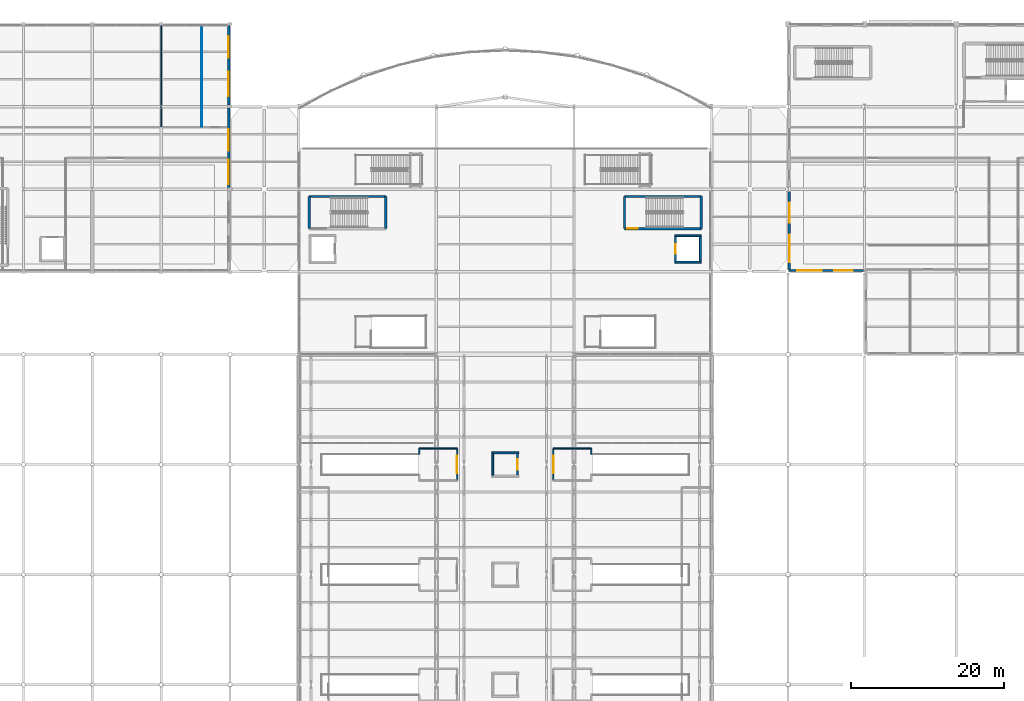
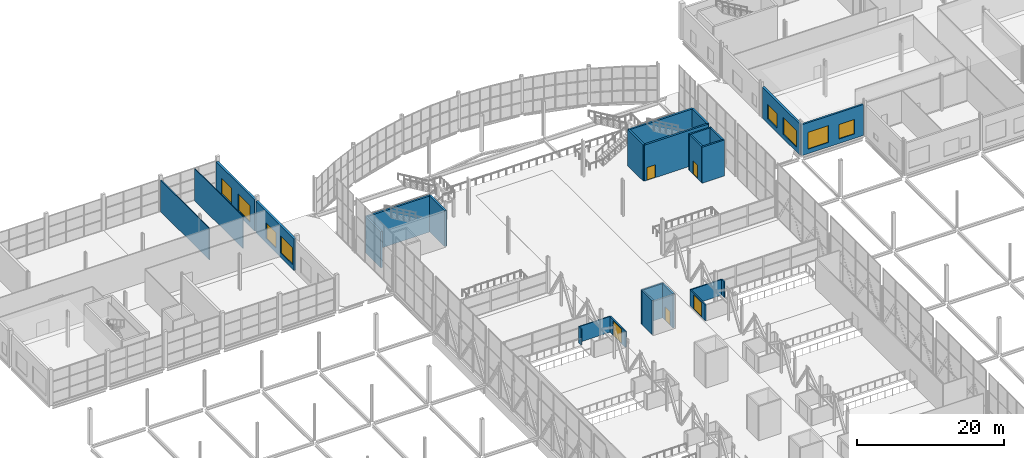
# One storey, part 170 of 191: 26 walls, 8 windows, 5 doors, 13 openings.
"""IFC4 building model written with IfcOpenShell, lengths in metres."""

from ifc_helpers import new_model, si_unit, direction, frame, frame_2d, origin, place, context, subcontext, project, spatial, rectangle, extrude, material, layer, layer_set, type_object, element, fill, save


model = new_model("IFC4")

# Units and contexts
model_context = context("Model", 3, precision=1e-05, world=origin(), true_north=direction((0.0, 1.0)))
body_context = subcontext(model_context, "Body", "Model", "MODEL_VIEW")
ifc_project = project(units=[si_unit("LENGTHUNIT", "METRE"), si_unit("AREAUNIT", "SQUARE_METRE"), si_unit("VOLUMEUNIT", "CUBIC_METRE"), si_unit("PLANEANGLEUNIT", "RADIAN"), si_unit("MASSUNIT", "GRAM", prefix="KILO")], contexts=[model_context])

# Site, building, storey
site_placement = place(None, origin())
site = spatial("IfcSite", under=ifc_project, at=site_placement, CompositionType="ELEMENT")
building_placement = place(site_placement, origin())
building = spatial("IfcBuilding", under=site, at=building_placement, Name="Tamarisk Ironworks Central Station", CompositionType="ELEMENT")
storey_placement = place(building_placement, frame((0.0, 0.0, 6.60009765625)))
storey = spatial("IfcBuildingStorey", under=building, at=storey_placement, Name="L01", CompositionType="ELEMENT", Elevation=6.60009765625)

# Wall, openings, windows
ifc_material_1 = material(Name="Clay facing brickwork and mortar", Category="masonry")
ifc_layer_1 = layer(ifc_material_1, 0.280029296875)
ifc_layer_set_1 = layer_set([ifc_layer_1], Name="Clay facing brickwork and mortar")
wall_type_1 = type_object("IfcWallType", Name="WL-BR280", PredefinedType="STANDARD", material=ifc_layer_set_1)
wall_1_placement = place(storey_placement, frame((118.14794921875, 90.169921875, 0.0), z_axis=(0.0, 0.0, 1.0), x_axis=(1.0, 0.0, 0.0)))
wall_1 = element("IfcWall", 1, at=wall_1_placement, inside=storey, type_object=wall_type_1, Name="L01 brick facade wall 0064", PredefinedType="STANDARD", context=body_context, shape_type="SweptSolid", body=[
    extrude(rectangle(XDim=9.7041015625, YDim=0.280029296875, at=frame_2d((4.85205078125, 0.0))), origin(), (0.0, 0.0, 1.0), 5.14990234375),
])
opening_1_placement = place(wall_1_placement, frame((1.02587890625, 0.0, 0.75)))
opening_1 = element("IfcOpeningElement", 2, at=opening_1_placement, cuts=wall_1, Name="Opening W02", PredefinedType="OPENING", context=body_context, shape_type="SweptSolid", body=[
    extrude(rectangle(XDim=3.199951171875, YDim=2.800048828125, at=frame_2d((1.60009765625, 1.39990234375))), frame((0.0, 0.15185546875, 0.0), z_axis=(0.0, -1.0, 0.0), x_axis=(1.0, 0.0, 0.0)), (0.0, 0.0, 1.0), 0.303955078125),
])
opening_2_placement = place(wall_1_placement, frame((5.8779296875, 0.0, 0.75)))
opening_2 = element("IfcOpeningElement", 3, at=opening_2_placement, cuts=wall_1, Name="Opening W06", PredefinedType="OPENING", context=body_context, shape_type="SweptSolid", body=[
    extrude(rectangle(XDim=2.39990234375, YDim=2.39990234375, at=frame_2d((1.199951171875, 1.199951171875))), frame((0.0, 0.15185546875, 0.0), z_axis=(0.0, -1.0, 0.0), x_axis=(1.0, 0.0, 0.0)), (0.0, 0.0, 1.0), 0.303955078125),
])
ifc_material_2 = material(Name="Laminated solar-control low-E glass", Category="glass")
window_type_1 = type_object("IfcWindowType", Name="WN-02", PartitioningType="SINGLE_PANEL", PredefinedType="WINDOW", material=ifc_material_2)
window_1_placement = place(opening_1_placement, origin())
window_1 = element("IfcWindow", 4, at=window_1_placement, inside=storey, type_object=window_type_1, Name="L01 exterior window 0101", OverallHeight=2.800048828125, OverallWidth=3.199951171875, PartitioningType="DOUBLE_PANEL_VERTICAL", PredefinedType="WINDOW", context=body_context, shape_type="SweptSolid", body=[
    extrude(rectangle(XDim=3.199951171875, YDim=2.800048828125, at=frame_2d((1.60009765625, 1.39990234375))), frame((0.0, 0.030029296875, 0.0), z_axis=(0.0, -1.0, 0.0), x_axis=(1.0, 0.0, 0.0)), (0.0, 0.0, 1.0), 0.06005859375),
])
fill(opening_1, window_1)
window_type_2 = type_object("IfcWindowType", Name="WN-06", PartitioningType="SINGLE_PANEL", PredefinedType="WINDOW", material=ifc_material_2)
window_2_placement = place(opening_2_placement, origin())
window_2 = element("IfcWindow", 5, at=window_2_placement, inside=storey, type_object=window_type_2, Name="L01 exterior window 0102", OverallHeight=2.39990234375, OverallWidth=2.39990234375, PartitioningType="DOUBLE_PANEL_VERTICAL", PredefinedType="WINDOW", context=body_context, shape_type="SweptSolid", body=[
    extrude(rectangle(XDim=2.39990234375, YDim=2.39990234375, at=frame_2d((1.199951171875, 1.199951171875))), frame((0.0, 0.030029296875, 0.0), z_axis=(0.0, -1.0, 0.0), x_axis=(1.0, 0.0, 0.0)), (0.0, 0.0, 1.0), 0.06005859375),
])
fill(opening_2, window_2)

ifc_layer_2 = layer(ifc_material_1, 0.340087890625)
ifc_layer_set_2 = layer_set([ifc_layer_2], Name="Clay facing brickwork and mortar")
wall_type_2 = type_object("IfcWallType", Name="WL-BR340", PredefinedType="STANDARD", material=ifc_layer_set_2)
wall_2_placement = place(storey_placement, frame((44.830078125, 100.998046875, 0.0), z_axis=(0.0, 0.0, 1.0), x_axis=(0.0, 1.0, 0.0)))
wall_2 = element("IfcWall", 6, at=wall_2_placement, inside=storey, type_object=wall_type_2, Name="L01 brick facade wall 0033", PredefinedType="STANDARD", context=body_context, shape_type="SweptSolid", body=[
    extrude(rectangle(XDim=10.404052734375, YDim=0.340087890625, at=frame_2d((5.2021484375, 0.0))), origin(), (0.0, 0.0, 1.0), 5.25),
])
opening_3_placement = place(wall_2_placement, frame((0.450927734375, 0.0, 0.75)))
opening_3 = element("IfcOpeningElement", 7, at=opening_3_placement, cuts=wall_2, Name="Opening W02", PredefinedType="OPENING", context=body_context, shape_type="SweptSolid", body=[
    extrude(rectangle(XDim=3.199951171875, YDim=2.800048828125, at=frame_2d((1.60009765625, 1.39990234375))), frame((0.0, 0.18212890625, 0.0), z_axis=(0.0, -1.0, 0.0), x_axis=(1.0, 0.0, 0.0)), (0.0, 0.0, 1.0), 0.364013671875),
])
opening_4_placement = place(wall_2_placement, frame((4.85302734375, 0.0, 0.75)))
opening_4 = element("IfcOpeningElement", 8, at=opening_4_placement, cuts=wall_2, Name="Opening W04", PredefinedType="OPENING", context=body_context, shape_type="SweptSolid", body=[
    extrude(rectangle(XDim=2.800048828125, YDim=2.60009765625, at=frame_2d((1.39990234375, 1.300048828125))), frame((0.0, 0.18212890625, 0.0), z_axis=(0.0, -1.0, 0.0), x_axis=(1.0, 0.0, 0.0)), (0.0, 0.0, 1.0), 0.364013671875),
])
window_3_placement = place(opening_3_placement, origin())
window_3 = element("IfcWindow", 9, at=window_3_placement, inside=storey, type_object=window_type_1, Name="L01 exterior window 0036", OverallHeight=2.800048828125, OverallWidth=3.199951171875, PartitioningType="DOUBLE_PANEL_VERTICAL", PredefinedType="WINDOW", context=body_context, shape_type="SweptSolid", body=[
    extrude(rectangle(XDim=3.199951171875, YDim=2.800048828125, at=frame_2d((1.60009765625, 1.39990234375))), frame((0.0, 0.030029296875, 0.0), z_axis=(0.0, -1.0, 0.0), x_axis=(1.0, 0.0, 0.0)), (0.0, 0.0, 1.0), 0.06005859375),
])
fill(opening_3, window_3)
window_type_3 = type_object("IfcWindowType", Name="WN-04", PartitioningType="SINGLE_PANEL", PredefinedType="WINDOW", material=ifc_material_2)
window_4_placement = place(opening_4_placement, origin())
window_4 = element("IfcWindow", 10, at=window_4_placement, inside=storey, type_object=window_type_3, Name="L01 exterior window 0037", OverallHeight=2.60009765625, OverallWidth=2.800048828125, PartitioningType="DOUBLE_PANEL_VERTICAL", PredefinedType="WINDOW", context=body_context, shape_type="SweptSolid", body=[
    extrude(rectangle(XDim=2.800048828125, YDim=2.60009765625, at=frame_2d((1.39990234375, 1.300048828125))), frame((0.0, 0.030029296875, 0.0), z_axis=(0.0, -1.0, 0.0), x_axis=(1.0, 0.0, 0.0)), (0.0, 0.0, 1.0), 0.06005859375),
])
fill(opening_4, window_4)

wall_3_placement = place(storey_placement, frame((44.830078125, 111.798095703125, 0.0), z_axis=(0.0, 0.0, 1.0), x_axis=(0.0, 1.0, 0.0)))
wall_3 = element("IfcWall", 11, at=wall_3_placement, inside=storey, type_object=wall_type_2, Name="L01 brick facade wall 0035", PredefinedType="STANDARD", context=body_context, shape_type="SweptSolid", body=[
    extrude(rectangle(XDim=10.40380859375, YDim=0.340087890625, at=frame_2d((5.201904296875, 0.0))), origin(), (0.0, 0.0, 1.0), 5.25),
])
opening_5_placement = place(wall_3_placement, frame((1.200927734375, 0.0, 0.75)))
opening_5 = element("IfcOpeningElement", 12, at=opening_5_placement, cuts=wall_3, Name="Opening W02", PredefinedType="OPENING", context=body_context, shape_type="SweptSolid", body=[
    extrude(rectangle(XDim=3.199951171875, YDim=2.800048828125, at=frame_2d((1.60009765625, 1.39990234375))), frame((0.0, 0.18212890625, 0.0), z_axis=(0.0, -1.0, 0.0), x_axis=(1.0, 0.0, 0.0)), (0.0, 0.0, 1.0), 0.364013671875),
])
opening_6_placement = place(wall_3_placement, frame((6.202880859375, 0.0, 0.75)))
opening_6 = element("IfcOpeningElement", 13, at=opening_6_placement, cuts=wall_3, Name="Opening W04", PredefinedType="OPENING", context=body_context, shape_type="SweptSolid", body=[
    extrude(rectangle(XDim=2.800048828125, YDim=2.60009765625, at=frame_2d((1.39990234375, 1.300048828125))), frame((0.0, 0.18212890625, 0.0), z_axis=(0.0, -1.0, 0.0), x_axis=(1.0, 0.0, 0.0)), (0.0, 0.0, 1.0), 0.364013671875),
])
window_5_placement = place(opening_5_placement, origin())
window_5 = element("IfcWindow", 14, at=window_5_placement, inside=storey, type_object=window_type_1, Name="L01 exterior window 0040", OverallHeight=2.800048828125, OverallWidth=3.199951171875, PartitioningType="DOUBLE_PANEL_VERTICAL", PredefinedType="WINDOW", context=body_context, shape_type="SweptSolid", body=[
    extrude(rectangle(XDim=3.199951171875, YDim=2.800048828125, at=frame_2d((1.60009765625, 1.39990234375))), frame((0.0, 0.030029296875, 0.0), z_axis=(0.0, -1.0, 0.0), x_axis=(1.0, 0.0, 0.0)), (0.0, 0.0, 1.0), 0.06005859375),
])
fill(opening_5, window_5)
window_6_placement = place(opening_6_placement, origin())
window_6 = element("IfcWindow", 15, at=window_6_placement, inside=storey, type_object=window_type_3, Name="L01 exterior window 0041", OverallHeight=2.60009765625, OverallWidth=2.800048828125, PartitioningType="DOUBLE_PANEL_VERTICAL", PredefinedType="WINDOW", context=body_context, shape_type="SweptSolid", body=[
    extrude(rectangle(XDim=2.800048828125, YDim=2.60009765625, at=frame_2d((1.39990234375, 1.300048828125))), frame((0.0, 0.030029296875, 0.0), z_axis=(0.0, -1.0, 0.0), x_axis=(1.0, 0.0, 0.0)), (0.0, 0.0, 1.0), 0.06005859375),
])
fill(opening_6, window_6)

wall_4_placement = place(storey_placement, frame((118.169921875, 90.298095703125, 0.0), z_axis=(0.0, 0.0, 1.0), x_axis=(0.0, 1.0, 0.0)))
wall_4 = element("IfcWall", 16, at=wall_4_placement, inside=storey, type_object=wall_type_2, Name="L01 brick facade wall 0061", PredefinedType="STANDARD", context=body_context, shape_type="SweptSolid", body=[
    extrude(rectangle(XDim=10.203857421875, YDim=0.340087890625, at=frame_2d((5.10205078125, 0.0))), origin(), (0.0, 0.0, 1.0), 5.14990234375),
])
opening_7_placement = place(wall_4_placement, frame((0.950927734375, 0.0, 0.75)))
opening_7 = element("IfcOpeningElement", 17, at=opening_7_placement, cuts=wall_4, Name="Opening W01", PredefinedType="OPENING", context=body_context, shape_type="SweptSolid", body=[
    extrude(rectangle(XDim=3.60009765625, YDim=2.800048828125, at=frame_2d((1.800048828125, 1.39990234375))), frame((0.0, 0.18212890625, 0.0), z_axis=(0.0, -1.0, 0.0), x_axis=(1.0, 0.0, 0.0)), (0.0, 0.0, 1.0), 0.364013671875),
])
opening_8_placement = place(wall_4_placement, frame((6.153076171875, 0.0, 0.75)))
opening_8 = element("IfcOpeningElement", 18, at=opening_8_placement, cuts=wall_4, Name="Opening W05", PredefinedType="OPENING", context=body_context, shape_type="SweptSolid", body=[
    extrude(rectangle(XDim=2.60009765625, YDim=2.39990234375, at=frame_2d((1.300048828125, 1.199951171875))), frame((0.0, 0.18212890625, 0.0), z_axis=(0.0, -1.0, 0.0), x_axis=(1.0, 0.0, 0.0)), (0.0, 0.0, 1.0), 0.364013671875),
])
window_type_4 = type_object("IfcWindowType", Name="WN-01", PartitioningType="SINGLE_PANEL", PredefinedType="WINDOW", material=ifc_material_2)
window_7_placement = place(opening_7_placement, origin())
window_7 = element("IfcWindow", 19, at=window_7_placement, inside=storey, type_object=window_type_4, Name="L01 exterior window 0095", OverallHeight=2.800048828125, OverallWidth=3.60009765625, PartitioningType="DOUBLE_PANEL_VERTICAL", PredefinedType="WINDOW", context=body_context, shape_type="SweptSolid", body=[
    extrude(rectangle(XDim=3.60009765625, YDim=2.800048828125, at=frame_2d((1.800048828125, 1.39990234375))), frame((0.0, 0.030029296875, 0.0), z_axis=(0.0, -1.0, 0.0), x_axis=(1.0, 0.0, 0.0)), (0.0, 0.0, 1.0), 0.06005859375),
])
fill(opening_7, window_7)
window_type_5 = type_object("IfcWindowType", Name="WN-05", PartitioningType="SINGLE_PANEL", PredefinedType="WINDOW", material=ifc_material_2)
window_8_placement = place(opening_8_placement, origin())
window_8 = element("IfcWindow", 20, at=window_8_placement, inside=storey, type_object=window_type_5, Name="L01 exterior window 0096", OverallHeight=2.39990234375, OverallWidth=2.60009765625, PartitioningType="DOUBLE_PANEL_VERTICAL", PredefinedType="WINDOW", context=body_context, shape_type="SweptSolid", body=[
    extrude(rectangle(XDim=2.60009765625, YDim=2.39990234375, at=frame_2d((1.300048828125, 1.199951171875))), frame((0.0, 0.030029296875, 0.0), z_axis=(0.0, -1.0, 0.0), x_axis=(1.0, 0.0, 0.0)), (0.0, 0.0, 1.0), 0.06005859375),
])
fill(opening_8, window_8)

# Walls
ifc_material_3 = material(Name="Concrete C50/60", Category="concrete")
ifc_layer_3 = layer(ifc_material_3, 0.300048828125)
ifc_layer_set_3 = layer_set([ifc_layer_3], Name="Concrete C50/60")
wall_type_3 = type_object("IfcWallType", Name="WL-CW300", PredefinedType="SOLIDWALL", material=ifc_layer_set_3)
wall_5_placement = place(storey_placement, frame((55.35498046875, 99.844970703125, 0.0), z_axis=(0.0, 0.0, 1.0), x_axis=(1.0, 0.0, 0.0)))
element("IfcWall", 21, at=wall_5_placement, inside=storey, type_object=wall_type_3, Name="ST-C3 core wall R (L01)", PredefinedType="SOLIDWALL", context=body_context, shape_type="SweptSolid", body=[
    extrude(rectangle(XDim=10.0400390625, YDim=0.300048828125, at=frame_2d((5.02001953125, 0.0))), origin(), (0.0, 0.0, 1.0), 6.0),
])
for number, where, z_axis, x_axis, name in (
    (22, (55.35498046875, 95.655029296875, 0.0), (0.0, 0.0, 1.0), (0.0, 1.0, 0.0), "ST-C3 core wall N (L01)"),
    (23, (65.39501953125, 95.655029296875, 0.0), (0.0, 0.0, 1.0), (0.0, 1.0, 0.0), "ST-C3 core wall F (L01)"),
):
    element("IfcWall", number, at=place(storey_placement, frame(where, z_axis=z_axis, x_axis=x_axis)), inside=storey, type_object=wall_type_3, Name=name, PredefinedType="SOLIDWALL", context=body_context, shape_type="SweptSolid", body=[
        extrude(rectangle(XDim=4.18994140625, YDim=0.300048828125, at=frame_2d((2.094970703125, 0.0))), origin(), (0.0, 0.0, 1.0), 6.0),
    ])

# Wall, opening, door
wall_6_placement = place(storey_placement, frame((96.60498046875, 95.655029296875, 0.0), z_axis=(0.0, 0.0, 1.0), x_axis=(1.0, 0.0, 0.0)))
wall_6 = element("IfcWall", 24, at=wall_6_placement, inside=storey, type_object=wall_type_3, Name="ST-C4 core wall L (L01)", PredefinedType="SOLIDWALL", context=body_context, shape_type="SweptSolid", body=[
    extrude(rectangle(XDim=10.0400390625, YDim=0.300048828125, at=frame_2d((5.02001953125, 0.0))), origin(), (0.0, 0.0, 1.0), 6.0),
])
opening_9_placement = place(wall_6_placement, frame((0.35009765625, 0.0, 0.0048828125)))
opening_9 = element("IfcOpeningElement", 25, at=opening_9_placement, cuts=wall_6, Name="Opening FD05", PredefinedType="OPENING", context=body_context, shape_type="SweptSolid", body=[
    extrude(rectangle(XDim=1.35009765625, YDim=2.14990234375, at=frame_2d((0.675048828125, 1.074951171875))), frame((0.0, 0.162109375, 0.0), z_axis=(0.0, -1.0, 0.0), x_axis=(1.0, 0.0, 0.0)), (0.0, 0.0, 1.0), 0.323974609375),
])
ifc_material_4 = material(Name="Galvanised hollow-metal door steel", Category="steel")
door_type_1 = type_object("IfcDoorType", Name="DR-FD05", OperationType="NOTDEFINED", PredefinedType="DOOR", material=ifc_material_4)
door_1_placement = place(opening_9_placement, origin())
door_1 = element("IfcDoor", 26, at=door_1_placement, inside=storey, type_object=door_type_1, Name="ST-C4 fire stair door (L01)", OperationType="SINGLE_SWING_RIGHT", OverallHeight=2.14990234375, OverallWidth=1.35009765625, PredefinedType="DOOR", context=body_context, shape_type="SweptSolid", body=[
    extrude(rectangle(XDim=1.35009765625, YDim=2.14990234375, at=frame_2d((0.675048828125, 1.074951171875))), frame((0.0, 0.02490234375, 0.0), z_axis=(0.0, -1.0, 0.0), x_axis=(1.0, 0.0, 0.0)), (0.0, 0.0, 1.0), 0.050048828125),
])
fill(opening_9, door_1)

# Walls
wall_7_placement = place(storey_placement, frame((96.60498046875, 99.844970703125, 0.0), z_axis=(0.0, 0.0, 1.0), x_axis=(1.0, 0.0, 0.0)))
element("IfcWall", 27, at=wall_7_placement, inside=storey, type_object=wall_type_3, Name="ST-C4 core wall R (L01)", PredefinedType="SOLIDWALL", context=body_context, shape_type="SweptSolid", body=[
    extrude(rectangle(XDim=10.0400390625, YDim=0.300048828125, at=frame_2d((5.02001953125, 0.0))), origin(), (0.0, 0.0, 1.0), 6.0),
])
for number, where, z_axis, x_axis, name in (
    (28, (96.60498046875, 95.655029296875, 0.0), (0.0, 0.0, 1.0), (0.0, 1.0, 0.0), "ST-C4 core wall N (L01)"),
    (29, (106.64501953125, 95.655029296875, 0.0), (0.0, 0.0, 1.0), (0.0, 1.0, 0.0), "ST-C4 core wall F (L01)"),
):
    element("IfcWall", number, at=place(storey_placement, frame(where, z_axis=z_axis, x_axis=x_axis)), inside=storey, type_object=wall_type_3, Name=name, PredefinedType="SOLIDWALL", context=body_context, shape_type="SweptSolid", body=[
        extrude(rectangle(XDim=4.18994140625, YDim=0.300048828125, at=frame_2d((2.094970703125, 0.0))), origin(), (0.0, 0.0, 1.0), 6.0),
    ])
ifc_material_5 = material(Name="Gypsum plasterboard acoustic partition")
ifc_layer_4 = layer(ifc_material_5, 0.155029296875)
ifc_layer_set_4 = layer_set([ifc_layer_4], Name="Gypsum plasterboard acoustic partition")
wall_type_4 = type_object("IfcWallType", Name="WL-FC150", PredefinedType="PARTITIONING", material=ifc_layer_set_4)
wall_8_placement = place(storey_placement, frame((69.75, 66.14990234375, 0.0), z_axis=(0.0, 0.0, 1.0), x_axis=(0.0, 1.0, 0.0)))
element("IfcWall", 30, at=wall_8_placement, inside=storey, type_object=wall_type_4, Name="ST-P4A smoke lobby flank N", PredefinedType="PARTITIONING", context=body_context, shape_type="SweptSolid", body=[
    extrude(rectangle(XDim=0.75, YDim=0.155029296875, at=frame_2d((0.375, 0.0))), origin(), (0.0, 0.0, 1.0), 2.619873046875),
])
wall_9_placement = place(storey_placement, frame((69.75, 66.89990234375, 0.0), z_axis=(0.0, 0.0, 1.0), x_axis=(1.0, 0.0, 0.0)))
element("IfcWall", 31, at=wall_9_placement, inside=storey, type_object=wall_type_4, Name="ST-P4A smoke lobby return wall RETN", PredefinedType="PARTITIONING", context=body_context, shape_type="SweptSolid", body=[
    extrude(rectangle(XDim=4.949951171875, YDim=0.155029296875, at=frame_2d((2.47509765625, 0.0))), origin(), (0.0, 0.0, 1.0), 2.619873046875),
])
wall_10_placement = place(storey_placement, frame((92.25, 66.14990234375, 0.0), z_axis=(0.0, 0.0, 1.0), x_axis=(0.0, 1.0, 0.0)))
element("IfcWall", 32, at=wall_10_placement, inside=storey, type_object=wall_type_4, Name="ST-P4B smoke lobby flank N", PredefinedType="PARTITIONING", context=body_context, shape_type="SweptSolid", body=[
    extrude(rectangle(XDim=0.75, YDim=0.155029296875, at=frame_2d((0.375, 0.0))), origin(), (0.0, 0.0, 1.0), 2.619873046875),
])
wall_11_placement = place(storey_placement, frame((87.300048828125, 66.89990234375, 0.0), z_axis=(0.0, 0.0, 1.0), x_axis=(1.0, 0.0, 0.0)))
element("IfcWall", 33, at=wall_11_placement, inside=storey, type_object=wall_type_4, Name="ST-P4B smoke lobby return wall RETN", PredefinedType="PARTITIONING", context=body_context, shape_type="SweptSolid", body=[
    extrude(rectangle(XDim=4.949951171875, YDim=0.155029296875, at=frame_2d((2.47509765625, 0.0))), origin(), (0.0, 0.0, 1.0), 2.619873046875),
])
ifc_layer_5 = layer(ifc_material_5, 0.1201171875)
ifc_layer_set_5 = layer_set([ifc_layer_5], Name="Gypsum plasterboard acoustic partition")
wall_type_5 = type_object("IfcWallType", Name="WL-PT120", PredefinedType="PARTITIONING", material=ifc_layer_set_5)
wall_12_placement = place(storey_placement, frame((41.300048828125, 108.972900390625, 0.0), z_axis=(0.0, 0.0, 1.0), x_axis=(0.0, 1.0, 0.0)))
element("IfcWall", 34, at=wall_12_placement, inside=storey, type_object=wall_type_5, Name="L01 interior partition 0033", PredefinedType="PARTITIONING", context=body_context, shape_type="SweptSolid", body=[
    extrude(rectangle(XDim=13.189208984375, YDim=0.1201171875, at=frame_2d((6.5947265625, 0.0))), origin(), (0.0, 0.0, 1.0), 5.329833984375),
])
ifc_layer_6 = layer(ifc_material_5, 0.14990234375)
ifc_layer_set_6 = layer_set([ifc_layer_6], Name="Gypsum plasterboard acoustic partition")
wall_type_6 = type_object("IfcWallType", Name="WL-PT150", PredefinedType="PARTITIONING", material=ifc_layer_set_6)
wall_13_placement = place(storey_placement, frame((36.0, 108.972900390625, 0.0), z_axis=(0.0, 0.0, 1.0), x_axis=(0.0, 1.0, 0.0)))
element("IfcWall", 35, at=wall_13_placement, inside=storey, type_object=wall_type_6, Name="L01 interior partition 0032", PredefinedType="PARTITIONING", context=body_context, shape_type="SweptSolid", body=[
    extrude(rectangle(XDim=13.22900390625, YDim=0.14990234375, at=frame_2d((6.614501953125, 0.0))), origin(), (0.0, 0.0, 1.0), 5.239990234375),
])

# Wall, opening, door
ifc_layer_7 = layer(ifc_material_1, 0.199951171875)
ifc_layer_set_7 = layer_set([ifc_layer_7], Name="Clay facing brickwork and mortar")
wall_type_7 = type_object("IfcWallType", Name="WL-PT200", PredefinedType="PARTITIONING", material=ifc_layer_set_7)
wall_14_placement = place(storey_placement, frame((74.699951171875, 62.699951171875, 0.0), z_axis=(0.0, 0.0, 1.0), x_axis=(0.0, 1.0, 0.0)))
wall_14 = element("IfcWall", 36, at=wall_14_placement, inside=storey, type_object=wall_type_7, Name="ST-P4A smoke lobby barrier", PredefinedType="PARTITIONING", context=body_context, shape_type="SweptSolid", body=[
    extrude(rectangle(XDim=4.199951171875, YDim=0.199951171875, at=frame_2d((2.10009765625, 0.0))), origin(), (0.0, 0.0, 1.0), 2.619873046875),
])
opening_10_placement = place(wall_14_placement, frame((0.949951171875, 0.0, 0.0048828125)))
opening_10 = element("IfcOpeningElement", 37, at=opening_10_placement, cuts=wall_14, Name="Opening D01", PredefinedType="OPENING", context=body_context, shape_type="SweptSolid", body=[
    extrude(rectangle(XDim=2.300048828125, YDim=2.39990234375, at=frame_2d((1.14990234375, 1.199951171875))), frame((0.0, 0.11181640625, 0.0), z_axis=(0.0, -1.0, 0.0), x_axis=(1.0, 0.0, 0.0)), (0.0, 0.0, 1.0), 0.223876953125),
])
ifc_material_6 = material(Name="Anodized aluminium alloy 6063-T6", Category="aluminium")
door_type_2 = type_object("IfcDoorType", Name="DR-ID01", OperationType="NOTDEFINED", PredefinedType="DOOR", material=ifc_material_6)
door_2_placement = place(opening_10_placement, origin())
door_2 = element("IfcDoor", 38, at=door_2_placement, inside=storey, type_object=door_type_2, Name="ST-P4A smoke lobby double boarding door", OperationType="DOUBLE_DOOR_SINGLE_SWING", OverallHeight=2.39990234375, OverallWidth=2.300048828125, PredefinedType="DOOR", context=body_context, shape_type="SweptSolid", body=[
    extrude(rectangle(XDim=2.300048828125, YDim=2.39990234375, at=frame_2d((1.14990234375, 1.199951171875))), frame((0.0, 0.02490234375, 0.0), z_axis=(0.0, -1.0, 0.0), x_axis=(1.0, 0.0, 0.0)), (0.0, 0.0, 1.0), 0.050048828125),
])
fill(opening_10, door_2)

wall_15_placement = place(storey_placement, frame((87.300048828125, 62.699951171875, 0.0), z_axis=(0.0, 0.0, 1.0), x_axis=(0.0, 1.0, 0.0)))
wall_15 = element("IfcWall", 39, at=wall_15_placement, inside=storey, type_object=wall_type_7, Name="ST-P4B smoke lobby barrier", PredefinedType="PARTITIONING", context=body_context, shape_type="SweptSolid", body=[
    extrude(rectangle(XDim=4.199951171875, YDim=0.199951171875, at=frame_2d((2.10009765625, 0.0))), origin(), (0.0, 0.0, 1.0), 2.619873046875),
])
opening_11_placement = place(wall_15_placement, frame((0.949951171875, 0.0, 0.0048828125)))
opening_11 = element("IfcOpeningElement", 40, at=opening_11_placement, cuts=wall_15, Name="Opening D01", PredefinedType="OPENING", context=body_context, shape_type="SweptSolid", body=[
    extrude(rectangle(XDim=2.300048828125, YDim=2.39990234375, at=frame_2d((1.14990234375, 1.199951171875))), frame((0.0, 0.11181640625, 0.0), z_axis=(0.0, -1.0, 0.0), x_axis=(1.0, 0.0, 0.0)), (0.0, 0.0, 1.0), 0.223876953125),
])
door_3_placement = place(opening_11_placement, origin())
door_3 = element("IfcDoor", 41, at=door_3_placement, inside=storey, type_object=door_type_2, Name="ST-P4B smoke lobby double boarding door", OperationType="DOUBLE_DOOR_SINGLE_SWING", OverallHeight=2.39990234375, OverallWidth=2.300048828125, PredefinedType="DOOR", context=body_context, shape_type="SweptSolid", body=[
    extrude(rectangle(XDim=2.300048828125, YDim=2.39990234375, at=frame_2d((1.14990234375, 1.199951171875))), frame((0.0, 0.02490234375, 0.0), z_axis=(0.0, -1.0, 0.0), x_axis=(1.0, 0.0, 0.0)), (0.0, 0.0, 1.0), 0.050048828125),
])
fill(opening_11, door_3)

# Walls
ifc_layer_8 = layer(ifc_material_3, 0.25)
ifc_layer_set_8 = layer_set([ifc_layer_8], Name="Concrete C50/60")
wall_type_8 = type_object("IfcWallType", Name="WL-SH250", PredefinedType="SOLIDWALL", material=ifc_layer_set_8)
wall_16_placement = place(storey_placement, frame((79.25, 66.324951171875, 0.0), z_axis=(0.0, 0.0, 1.0), x_axis=(1.0, 0.0, 0.0)))
element("IfcWall", 42, at=wall_16_placement, inside=storey, type_object=wall_type_8, Name="LF-P4 lift shaft wall N (L01)", PredefinedType="SOLIDWALL", context=body_context, shape_type="SweptSolid", body=[
    extrude(rectangle(XDim=3.5, YDim=0.25, at=frame_2d((1.75, 0.0))), origin(), (0.0, 0.0, 1.0), 5.699951171875),
])
wall_17_placement = place(storey_placement, frame((79.375, 63.39990234375, 0.0), z_axis=(0.0, 0.0, 1.0), x_axis=(0.0, 1.0, 0.0)))
element("IfcWall", 43, at=wall_17_placement, inside=storey, type_object=wall_type_8, Name="LF-P4 lift shaft wall W (L01)", PredefinedType="SOLIDWALL", context=body_context, shape_type="SweptSolid", body=[
    extrude(rectangle(XDim=2.800048828125, YDim=0.25, at=frame_2d((1.39990234375, 0.0))), origin(), (0.0, 0.0, 1.0), 5.699951171875),
])

# Wall, opening, door
wall_18_placement = place(storey_placement, frame((82.625, 63.39990234375, 0.0), z_axis=(0.0, 0.0, 1.0), x_axis=(0.0, 1.0, 0.0)))
wall_18 = element("IfcWall", 44, at=wall_18_placement, inside=storey, type_object=wall_type_8, Name="LF-P4 lift shaft wall E (L01)", PredefinedType="SOLIDWALL", context=body_context, shape_type="SweptSolid", body=[
    extrude(rectangle(XDim=2.800048828125, YDim=0.25, at=frame_2d((1.39990234375, 0.0))), origin(), (0.0, 0.0, 1.0), 5.699951171875),
])
opening_12_placement = place(wall_18_placement, frame((0.699951171875, 0.0, 0.0048828125)))
opening_12 = element("IfcOpeningElement", 45, at=opening_12_placement, cuts=wall_18, Name="Opening LD01", PredefinedType="OPENING", context=body_context, shape_type="SweptSolid", body=[
    extrude(rectangle(XDim=1.39990234375, YDim=2.25, at=frame_2d((0.699951171875, 1.125))), frame((0.0, 0.136962890625, 0.0), z_axis=(0.0, -1.0, 0.0), x_axis=(1.0, 0.0, 0.0)), (0.0, 0.0, 1.0), 0.27392578125),
])
ifc_material_7 = material(Name="Brushed stainless steel AISI 316", Category="steel")
door_type_3 = type_object("IfcDoorType", Name="DR-LD01", OperationType="NOTDEFINED", PredefinedType="DOOR", material=ifc_material_7)
door_4_placement = place(opening_12_placement, origin())
door_4 = element("IfcDoor", 46, at=door_4_placement, inside=storey, type_object=door_type_3, Name="LF-P4 sliding lift landing door (L01)", OperationType="SLIDING_TO_LEFT", OverallHeight=2.25, OverallWidth=1.39990234375, PredefinedType="DOOR", context=body_context, shape_type="SweptSolid", body=[
    extrude(rectangle(XDim=1.39990234375, YDim=2.25, at=frame_2d((0.699951171875, 1.125))), frame((0.0, 0.02490234375, 0.0), z_axis=(0.0, -1.0, 0.0), x_axis=(1.0, 0.0, 0.0)), (0.0, 0.0, 1.0), 0.050048828125),
])
fill(opening_12, door_4)

# Walls
for number, where, z_axis, x_axis, name in (
    (47, (103.14990234375, 91.27490234375, 0.0), (0.0, 0.0, 1.0), (1.0, 0.0, 0.0), "LF-C2 lift shaft wall S (L01)"),
    (48, (103.14990234375, 94.72509765625, 0.0), (0.0, 0.0, 1.0), (1.0, 0.0, 0.0), "LF-C2 lift shaft wall N (L01)"),
):
    element("IfcWall", number, at=place(storey_placement, frame(where, z_axis=z_axis, x_axis=x_axis)), inside=storey, type_object=wall_type_8, Name=name, PredefinedType="SOLIDWALL", context=body_context, shape_type="SweptSolid", body=[
        extrude(rectangle(XDim=3.5, YDim=0.25, at=frame_2d((1.75, 0.0))), origin(), (0.0, 0.0, 1.0), 6.0),
    ])

# Wall, opening, door
wall_19_placement = place(storey_placement, frame((103.27490234375, 91.39990234375, 0.0), z_axis=(0.0, 0.0, 1.0), x_axis=(0.0, 1.0, 0.0)))
wall_19 = element("IfcWall", 49, at=wall_19_placement, inside=storey, type_object=wall_type_8, Name="LF-C2 lift shaft wall W (L01)", PredefinedType="SOLIDWALL", context=body_context, shape_type="SweptSolid", body=[
    extrude(rectangle(XDim=3.2001953125, YDim=0.25, at=frame_2d((1.60009765625, 0.0))), origin(), (0.0, 0.0, 1.0), 6.0),
])
opening_13_placement = place(wall_19_placement, frame((0.97509765625, 0.0, 0.0048828125)))
opening_13 = element("IfcOpeningElement", 50, at=opening_13_placement, cuts=wall_19, Name="Opening LD02", PredefinedType="OPENING", context=body_context, shape_type="SweptSolid", body=[
    extrude(rectangle(XDim=1.25, YDim=2.199951171875, at=frame_2d((0.625, 1.10009765625))), frame((0.0, 0.136962890625, 0.0), z_axis=(0.0, -1.0, 0.0), x_axis=(1.0, 0.0, 0.0)), (0.0, 0.0, 1.0), 0.27392578125),
])
door_type_4 = type_object("IfcDoorType", Name="DR-LD02", OperationType="NOTDEFINED", PredefinedType="DOOR", material=ifc_material_7)
door_5_placement = place(opening_13_placement, origin())
door_5 = element("IfcDoor", 51, at=door_5_placement, inside=storey, type_object=door_type_4, Name="LF-C2 sliding lift landing door (L01)", OperationType="SLIDING_TO_LEFT", OverallHeight=2.199951171875, OverallWidth=1.25, PredefinedType="DOOR", context=body_context, shape_type="SweptSolid", body=[
    extrude(rectangle(XDim=1.25, YDim=2.199951171875, at=frame_2d((0.625, 1.10009765625))), frame((0.0, 0.02490234375, 0.0), z_axis=(0.0, -1.0, 0.0), x_axis=(1.0, 0.0, 0.0)), (0.0, 0.0, 1.0), 0.050048828125),
])
fill(opening_13, door_5)

# Wall
wall_20_placement = place(storey_placement, frame((106.52490234375, 91.39990234375, 0.0), z_axis=(0.0, 0.0, 1.0), x_axis=(0.0, 1.0, 0.0)))
element("IfcWall", 52, at=wall_20_placement, inside=storey, type_object=wall_type_8, Name="LF-C2 lift shaft wall E (L01)", PredefinedType="SOLIDWALL", context=body_context, shape_type="SweptSolid", body=[
    extrude(rectangle(XDim=3.2001953125, YDim=0.25, at=frame_2d((1.60009765625, 0.0))), origin(), (0.0, 0.0, 1.0), 6.0),
])

save(model, "model.ifc")
